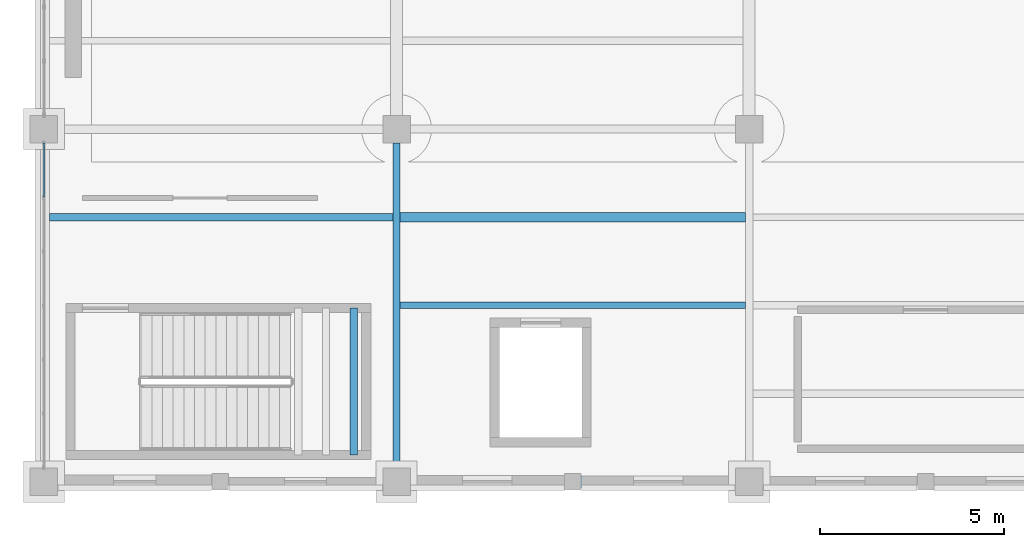
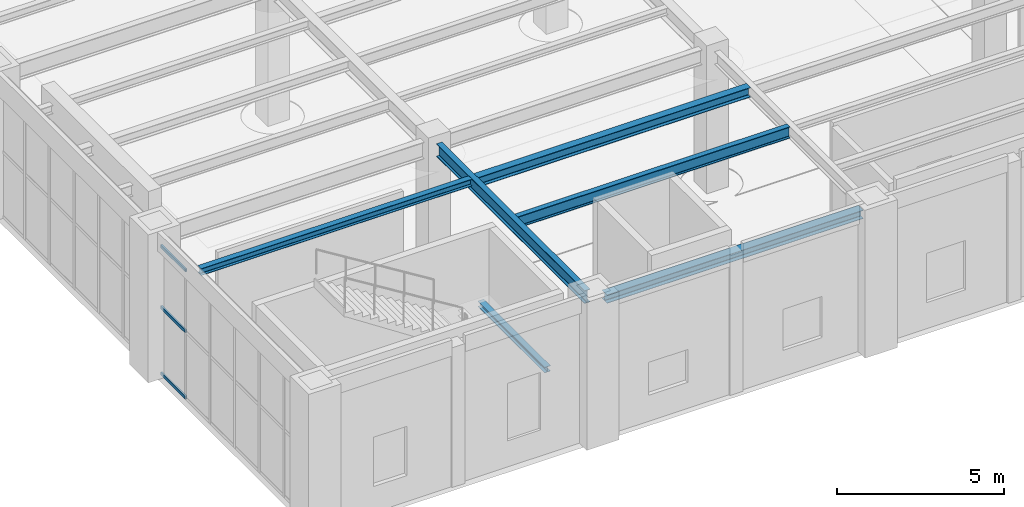
# One storey, part 25 of 164: 6 beams, 3 members, 1 element without a shape of its own.
"""IFC4 building model written with IfcOpenShell, lengths in metres."""

from ifc_helpers import new_model, si_unit, direction, frame, origin, origin_2d, place, context, subcontext, project, spatial, hollow_rectangle, i_section, extrude, material, material_profile, profile_set, type_object, element, aggregate, save


model = new_model("IFC4")

# Units and contexts
model_context = context("Model", 3, precision=1e-05, world=origin(), true_north=direction((0.0, 1.0)))
body_context = subcontext(model_context, "Body", "Model", "MODEL_VIEW")
ifc_project = project(units=[si_unit("LENGTHUNIT", "METRE"), si_unit("AREAUNIT", "SQUARE_METRE"), si_unit("VOLUMEUNIT", "CUBIC_METRE"), si_unit("PLANEANGLEUNIT", "RADIAN"), si_unit("MASSUNIT", "GRAM", prefix="KILO")], contexts=[model_context])

# Site, building, storey
site_placement = place(None, origin())
site = spatial("IfcSite", under=ifc_project, at=site_placement, CompositionType="ELEMENT")
building_placement = place(site_placement, origin())
building = spatial("IfcBuilding", under=site, at=building_placement, Name="Mavantir Sound Aquarium", CompositionType="ELEMENT")
storey_placement = place(building_placement, origin())
storey = spatial("IfcBuildingStorey", under=building, at=storey_placement, Name="L00", CompositionType="ELEMENT", Elevation=0.0)

# Beams
ifc_material_1 = material(Name="Structural Steel ASTM A992 Gr50", Category="steel")
ifc_material_profile_1 = material_profile(ifc_material_1, i_section(OverallWidth=0.202880859375, OverallDepth=0.202880859375, WebThickness=0.007080078125, FlangeThickness=0.010986328125, FilletRadius=0.010009765625, at=origin_2d()), Name="W200X46")
ifc_profile_set_1 = profile_set([ifc_material_profile_1], Name="Structural Steel ASTM A992 Gr50")
beam_type_1 = type_object("IfcBeamType", Name="BM-W200X46-I", PredefinedType="LINTEL", material=ifc_profile_set_1)
beam_1_placement = place(storey_placement, frame((8.429931640625, 0.72509765625, 2.3955078125), z_axis=(0.0, 1.0, 0.0), x_axis=(-1.0, 0.0, 0.0)))
element("IfcBeam", 1, at=beam_1_placement, inside=storey, type_object=beam_type_1, Name="Stair ST3 landing support beam 45", PredefinedType="LINTEL", context=body_context, shape_type="SweptSolid", body=[
    extrude(i_section(OverallWidth=0.202880859375, OverallDepth=0.202880859375, WebThickness=0.007080078125, FlangeThickness=0.010986328125, FilletRadius=0.010009765625, at=origin_2d()), origin(), (0.0, 0.0, 1.0), 4.0),
])
ifc_material_profile_2 = material_profile(ifc_material_1, i_section(OverallWidth=0.202880859375, OverallDepth=0.251953125, WebThickness=0.008056640625, FlangeThickness=0.013427734375, FilletRadius=0.011962890625, at=origin_2d()), Name="W250X58")
ifc_profile_set_2 = profile_set([ifc_material_profile_2], Name="Structural Steel ASTM A992 Gr50")
beam_type_2 = type_object("IfcBeamType", Name="BM-W250X58-I", PredefinedType="JOIST", material=ifc_profile_set_2)
beam_2_placement = place(storey_placement, frame((0.152587890625, 7.199951171875, 4.969970703125), z_axis=(1.0, 0.0, 0.0), x_axis=(0.0, 1.0, 0.0)))
element("IfcBeam", 2, at=beam_2_placement, inside=storey, type_object=beam_type_2, Name="L00 secondary floor joist SJ-25 480", PredefinedType="JOIST", context=body_context, shape_type="SweptSolid", body=[
    extrude(i_section(OverallWidth=0.202880859375, OverallDepth=0.251953125, WebThickness=0.008056640625, FlangeThickness=0.013427734375, FilletRadius=0.011962890625, at=origin_2d()), origin(), (0.0, 0.0, 1.0), 9.350341796875),
])
ifc_material_profile_3 = material_profile(ifc_material_1, i_section(OverallWidth=0.304931640625, OverallDepth=0.30810546875, WebThickness=0.010009765625, FlangeThickness=0.015380859375, FilletRadius=0.014892578125, at=origin_2d()), Name="W310X97")
ifc_profile_set_3 = profile_set([ifc_material_profile_3], Name="Structural Steel ASTM A992 Gr50")
beam_type_3 = type_object("IfcBeamType", Name="BM-W310X97-E", PredefinedType="SPANDREL", material=ifc_profile_set_3)
beam_3_placement = place(storey_placement, frame((9.97509765625, 0.0, 4.94189453125), z_axis=(1.0, 0.0, 0.0), x_axis=(0.0, 1.0, 0.0)))
element("IfcBeam", 3, at=beam_3_placement, inside=storey, type_object=beam_type_3, Name="L00 primary beam SS-31A 889", PredefinedType="SPANDREL", context=body_context, shape_type="SweptSolid", body=[
    extrude(i_section(OverallWidth=0.304931640625, OverallDepth=0.30810546875, WebThickness=0.010009765625, FlangeThickness=0.015380859375, FilletRadius=0.014892578125, at=origin_2d()), origin(), (0.0, 0.0, 1.0), 8.849853515625),
])
ifc_material_profile_4 = material_profile(ifc_material_1, i_section(OverallWidth=0.25390625, OverallDepth=0.35302734375, WebThickness=0.009521484375, FlangeThickness=0.016357421875, FilletRadius=0.014892578125, at=origin_2d()), Name="W360X91")
ifc_profile_set_4 = profile_set([ifc_material_profile_4], Name="Structural Steel ASTM A992 Gr50")
beam_type_4 = type_object("IfcBeamType", Name="BM-W360X91-I", PredefinedType="JOIST", material=ifc_profile_set_4)
beam_4_placement = place(storey_placement, frame((9.697021484375, 7.199951171875, 4.91943359375), z_axis=(1.0, 0.0, 0.0), x_axis=(0.0, 1.0, 0.0)))
element("IfcBeam", 4, at=beam_4_placement, inside=storey, type_object=beam_type_4, Name="L00 secondary floor joist SJ-36 482", PredefinedType="JOIST", context=body_context, shape_type="SweptSolid", body=[
    extrude(i_section(OverallWidth=0.25390625, OverallDepth=0.35302734375, WebThickness=0.009521484375, FlangeThickness=0.016357421875, FilletRadius=0.014892578125, at=origin_2d()), origin(), (0.0, 0.0, 1.0), 9.406005859375),
])
ifc_material_profile_5 = material_profile(ifc_material_1, i_section(OverallWidth=0.180908203125, OverallDepth=0.4169921875, WebThickness=0.010986328125, FlangeThickness=0.018310546875, FilletRadius=0.014892578125, at=origin_2d()), Name="W410X85")
ifc_profile_set_5 = profile_set([ifc_material_profile_5], Name="Structural Steel ASTM A992 Gr50")
beam_type_5 = type_object("IfcBeamType", Name="BM-W410X85-I", PredefinedType="JOIST", material=ifc_profile_set_5)
beam_5_placement = place(storey_placement, frame((9.697021484375, 4.800048828125, 4.887451171875), z_axis=(1.0, 0.0, 0.0), x_axis=(0.0, 1.0, 0.0)))
element("IfcBeam", 5, at=beam_5_placement, inside=storey, type_object=beam_type_5, Name="L00 secondary floor joist SJ-41 481", PredefinedType="JOIST", context=body_context, shape_type="SweptSolid", body=[
    extrude(i_section(OverallWidth=0.180908203125, OverallDepth=0.4169921875, WebThickness=0.010986328125, FlangeThickness=0.018310546875, FilletRadius=0.014892578125, at=origin_2d()), origin(), (0.0, 0.0, 1.0), 9.406005859375),
])
ifc_material_profile_6 = material_profile(ifc_material_1, i_section(OverallWidth=0.194091796875, OverallDepth=0.468994140625, WebThickness=0.0126953125, FlangeThickness=0.0205078125, FilletRadius=0.01611328125, at=origin_2d()), Name="W460X106")
ifc_profile_set_6 = profile_set([ifc_material_profile_6], Name="Structural Steel ASTM A992 Gr50")
beam_type_6 = type_object("IfcBeamType", Name="BM-W460X106-I", PredefinedType="BEAM", material=ifc_profile_set_6)
beam_6_placement = place(storey_placement, frame((9.60009765625, 0.375, 4.861572265625), z_axis=(0.0, 1.0, 0.0), x_axis=(-1.0, 0.0, 0.0)))
element("IfcBeam", 6, at=beam_6_placement, inside=storey, type_object=beam_type_6, Name="L00 primary girder SB-46 909", PredefinedType="BEAM", context=body_context, shape_type="SweptSolid", body=[
    extrude(i_section(OverallWidth=0.194091796875, OverallDepth=0.468994140625, WebThickness=0.0126953125, FlangeThickness=0.0205078125, FilletRadius=0.01611328125, at=origin_2d()), origin(), (0.0, 0.0, 1.0), 8.85009765625),
])

# Curtain wall, members
ifc_material_2 = material(Name="Anodised Marine Aluminium and Low-E Glass", Category="aluminium")
curtain_wall_type = type_object("IfcCurtainWallType", Name="CW-T13", PredefinedType="USERDEFINED", material=ifc_material_2)
curtain_wall_placement = place(storey_placement, origin())
curtain_wall = element("IfcCurtainWall", 7, at=curtain_wall_placement, inside=storey, type_object=curtain_wall_type, Name="L00 unitised curtain wall CW-13 13", ObjectType="UNITISED GLAZING", PredefinedType="USERDEFINED")
ifc_material_3 = material(Name="Anodised Marine Aluminium 6063-T6", Category="aluminium")
ifc_material_profile_7 = material_profile(ifc_material_3, hollow_rectangle(XDim=0.06005859375, YDim=0.110107421875, WallThickness=0.00390625, at=origin_2d()), Name="ALU-TRANSOM-110X60")
ifc_profile_set_7 = profile_set([ifc_material_profile_7], Name="Anodised Marine Aluminium 6063-T6")
member_type = type_object("IfcMemberType", Name="CW-TRN-110", PredefinedType="USERDEFINED", material=ifc_profile_set_7)
member_1_placement = place(storey_placement, frame((0.0, 9.217041015625, 0.054931640625), z_axis=(0.0, -1.0, 0.0), x_axis=(1.0, 0.0, 0.0)))
member_1 = element("IfcMember", 8, at=member_1_placement, type_object=member_type, Name="CW-L00-013 transom 1.1", ObjectType="TRANSOM", PredefinedType="USERDEFINED", context=body_context, shape_type="SweptSolid", body=[
    extrude(hollow_rectangle(XDim=0.06005859375, YDim=0.110107421875, WallThickness=0.00390625, at=origin_2d()), origin(), (0.0, 0.0, 1.0), 1.472412109375),
])
member_2_placement = place(storey_placement, frame((0.0, 9.217041015625, 2.47412109375), z_axis=(0.0, -1.0, 0.0), x_axis=(1.0, 0.0, 0.0)))
member_2 = element("IfcMember", 9, at=member_2_placement, type_object=member_type, Name="CW-L00-013 transom 1.2", ObjectType="TRANSOM", PredefinedType="USERDEFINED", context=body_context, shape_type="SweptSolid", body=[
    extrude(hollow_rectangle(XDim=0.06005859375, YDim=0.110107421875, WallThickness=0.00390625, at=origin_2d()), origin(), (0.0, 0.0, 1.0), 1.472412109375),
])
member_3_placement = place(storey_placement, frame((0.0, 9.217041015625, 4.702880859375), z_axis=(0.0, -1.0, 0.0), x_axis=(1.0, 0.0, 0.0)))
member_3 = element("IfcMember", 10, at=member_3_placement, type_object=member_type, Name="CW-L00-013 transom 1.3", ObjectType="TRANSOM", PredefinedType="USERDEFINED", context=body_context, shape_type="SweptSolid", body=[
    extrude(hollow_rectangle(XDim=0.06005859375, YDim=0.110107421875, WallThickness=0.00390625, at=origin_2d()), origin(), (0.0, 0.0, 1.0), 1.472412109375),
])
aggregate(curtain_wall, [member_1, member_2, member_3])

save(model, "model.ifc")
